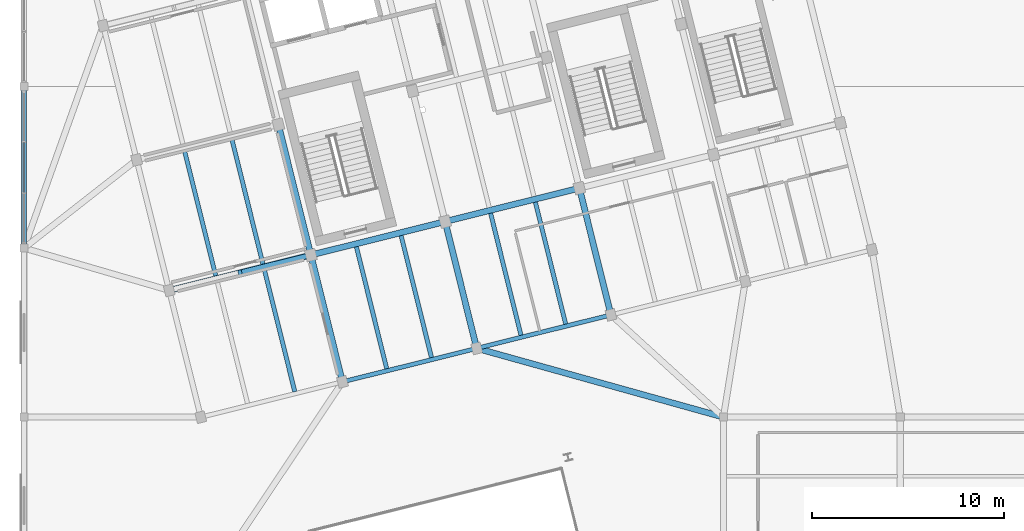
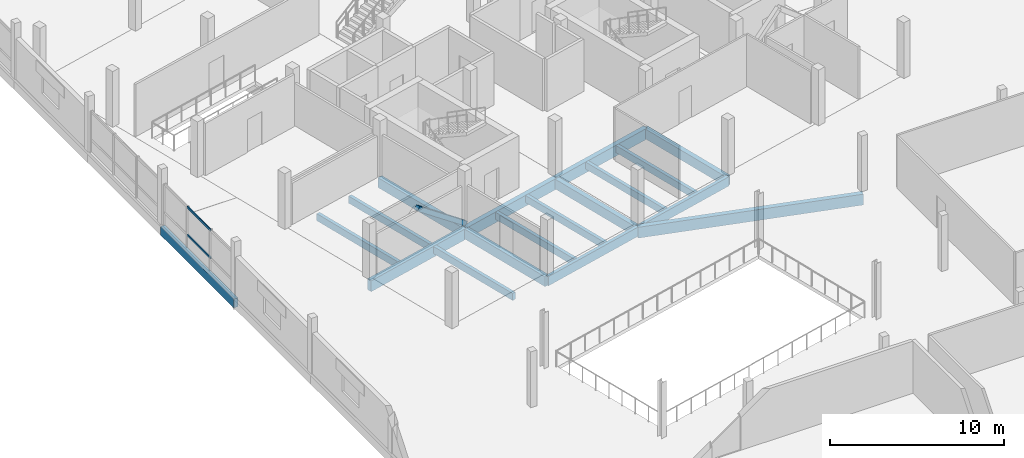
# One storey, part 18 of 47: 18 beams, 3 members, 1 element without a shape of its own.
"""IFC4 building model written with IfcOpenShell, lengths in metres."""

from ifc_helpers import new_model, si_unit, direction, frame, origin, origin_2d, place, context, subcontext, project, spatial, rectangle, hollow_rectangle, extrude, material, layer, layer_set, material_profile, profile_set, type_object, element, aggregate, save


model = new_model("IFC4")

# Units and contexts
model_context = context("Model", 3, precision=1e-05, world=origin(), true_north=direction((0.0, 1.0)))
body_context = subcontext(model_context, "Body", "Model", "MODEL_VIEW")
ifc_project = project(units=[si_unit("LENGTHUNIT", "METRE"), si_unit("AREAUNIT", "SQUARE_METRE"), si_unit("VOLUMEUNIT", "CUBIC_METRE"), si_unit("PLANEANGLEUNIT", "RADIAN"), si_unit("MASSUNIT", "GRAM", prefix="KILO")], contexts=[model_context])

# Site, building, storey
site_placement = place(None, origin())
site = spatial("IfcSite", under=ifc_project, at=site_placement, CompositionType="ELEMENT")
building_placement = place(site_placement, origin())
building = spatial("IfcBuilding", under=site, at=building_placement, Name="Meriwether Solvik Hall", CompositionType="ELEMENT")
storey_placement = place(building_placement, frame((0.0, 0.0, 18.300048828125)))
storey = spatial("IfcBuildingStorey", under=building, at=storey_placement, Name="L04", CompositionType="ELEMENT", Elevation=18.300048828125)

# Beams
ifc_material_1 = material(Name="Glulam Douglas-Fir 24F-V8 GL28h", Category="wood")
ifc_material_profile_1 = material_profile(ifc_material_1, rectangle(XDim=0.221923828125, YDim=0.64501953125, at=origin_2d()), Name="GLB-222X645")
ifc_profile_set_1 = profile_set([ifc_material_profile_1], Name="Glulam Douglas-Fir 24F-V8 GL28h")
beam_type_1 = type_object("IfcBeamType", Name="BM-GL-222X645", PredefinedType="SPANDREL", material=ifc_profile_set_1)
for number, where, z_axis, x_axis, name in (
    (1, (75.974365234375, 43.03857421875, -0.567626953125), (0.970291911955, 0.241937193493, 0.0), (-0.241937193493, 0.970291911955, 0.0), "Tower Girder TA:T2-T3 (L04)"),
    (2, (82.96044921875, 44.780517578125, -0.567626953125), (0.970299871507, 0.241905269381, 0.0), (-0.241905269381, 0.970299871507, 0.0), "Tower Girder TA:T3-T4 (L04)"),
):
    element("IfcBeam", number, at=place(storey_placement, frame(where, z_axis=z_axis, x_axis=x_axis)), inside=storey, type_object=beam_type_1, Name=name, PredefinedType="SPANDREL", context=body_context, shape_type="SweptSolid", body=[
        extrude(rectangle(XDim=0.221923828125, YDim=0.64501953125, at=origin_2d()), origin(), (0.0, 0.0, 1.0), 7.199951171875),
    ])
ifc_material_2 = material(Name="Glulam Douglas-Fir 24F-V8 GL28h", Category="wood")
ifc_material_profile_2 = material_profile(ifc_material_2, rectangle(XDim=0.27294921875, YDim=0.610107421875, at=origin_2d()), Name="GLB-273X610")
ifc_profile_set_2 = profile_set([ifc_material_profile_2], Name="Glulam Douglas-Fir 24F-V8 GL28h")
beam_type_2 = type_object("IfcBeamType", Name="BM-GL-273X610", PredefinedType="SPANDREL", material=ifc_profile_set_2)
beam_1_placement = place(storey_placement, frame((59.39990234375, 50.0, -0.550048828125), z_axis=(0.0, 1.0, 0.0), x_axis=(-1.0, 0.0, 0.0)))
element("IfcBeam", 3, at=beam_1_placement, inside=storey, type_object=beam_type_2, Name="Podium Girder 7:F-G (L04)", PredefinedType="SPANDREL", context=body_context, shape_type="SweptSolid", body=[
    extrude(rectangle(XDim=0.27294921875, YDim=0.610107421875, at=origin_2d()), origin(), (0.0, 0.0, 1.0), 8.39990234375),
])
ifc_material_3 = material(Name="Glulam Douglas-Fir 24F-V8 GL28h", Category="wood")
ifc_material_profile_3 = material_profile(ifc_material_3, rectangle(XDim=0.31494140625, YDim=0.68505859375, at=origin_2d()), Name="GLB-315X685")
ifc_profile_set_3 = profile_set([ifc_material_profile_3], Name="Glulam Douglas-Fir 24F-V8 GL28h")
beam_type_3 = type_object("IfcBeamType", Name="BM-GL-315X685", PredefinedType="BEAM", material=ifc_profile_set_3)
beam_2_placement = place(storey_placement, frame((75.974365234375, 43.03857421875, -0.587646484375), z_axis=(-0.241944251278, 0.970290152106, 0.0), x_axis=(-0.970290152106, -0.241944251278, 0.0)))
element("IfcBeam", 4, at=beam_2_placement, inside=storey, type_object=beam_type_3, Name="Tower Girder T2:TA-TB (L04)", PredefinedType="BEAM", context=body_context, shape_type="SweptSolid", body=[
    extrude(rectangle(XDim=0.31494140625, YDim=0.68505859375, at=origin_2d()), origin(), (0.0, 0.0, 1.0), 6.80029296875),
])
beam_3_placement = place(storey_placement, frame((74.3291015625, 49.63671875, -0.587646484375), z_axis=(-0.241911879182, 0.970298223594, 0.0), x_axis=(-0.970298223594, -0.241911879182, 0.0)))
element("IfcBeam", 5, at=beam_3_placement, inside=storey, type_object=beam_type_3, Name="Tower Girder T2:TB-TC (L04)", PredefinedType="BEAM", context=body_context, shape_type="SweptSolid", body=[
    extrude(rectangle(XDim=0.31494140625, YDim=0.68505859375, at=origin_2d()), origin(), (0.0, 0.0, 1.0), 7.0),
])
beam_4_placement = place(storey_placement, frame((82.96044921875, 44.780517578125, -0.587646484375), z_axis=(-0.241918877831, 0.970296478685, 0.0), x_axis=(-0.970296478685, -0.241918877831, 0.0)))
element("IfcBeam", 6, at=beam_4_placement, inside=storey, type_object=beam_type_3, Name="Tower Girder T3:TA-TB (L04)", PredefinedType="BEAM", context=body_context, shape_type="SweptSolid", body=[
    extrude(rectangle(XDim=0.31494140625, YDim=0.68505859375, at=origin_2d()), origin(), (0.0, 0.0, 1.0), 6.7998046875),
])
beam_5_placement = place(storey_placement, frame((89.946533203125, 46.522216796875, -0.587646484375), z_axis=(-0.24191045034, 0.970298579828, 0.0), x_axis=(-0.970298579828, -0.24191045034, 0.0)))
element("IfcBeam", 7, at=beam_5_placement, inside=storey, type_object=beam_type_3, Name="Tower Girder T4:TA-TB (L04)", PredefinedType="BEAM", context=body_context, shape_type="SweptSolid", body=[
    extrude(rectangle(XDim=0.31494140625, YDim=0.68505859375, at=origin_2d()), origin(), (0.0, 0.0, 1.0), 6.800048828125),
])
ifc_material_4 = material(Name="Glulam Douglas-Fir 24F-V8 GL28h", Category="wood")
ifc_material_profile_4 = material_profile(ifc_material_4, rectangle(XDim=0.31494140625, YDim=0.760009765625, at=origin_2d()), Name="GLB-315X760")
ifc_profile_set_4 = profile_set([ifc_material_profile_4], Name="Glulam Douglas-Fir 24F-V8 GL28h")
beam_type_4 = type_object("IfcBeamType", Name="BM-GL-315X760", PredefinedType="BEAM", material=ifc_profile_set_4)
beam_6_placement = place(storey_placement, frame((82.96044921875, 44.780517578125, -0.625), z_axis=(0.963246352106, -0.268619554676, 0.0), x_axis=(0.268619554676, 0.963246352106, 0.0)))
element("IfcBeam", 8, at=beam_6_placement, inside=storey, type_object=beam_type_4, Name="Diaphragm Collector Girder T3/TA-11/E (L04)", PredefinedType="BEAM", context=body_context, shape_type="SweptSolid", body=[
    extrude(rectangle(XDim=0.31494140625, YDim=0.760009765625, at=origin_2d()), origin(), (0.0, 0.0, 1.0), 13.32958984375),
])
beam_7_placement = place(storey_placement, frame((66.954833984375, 47.798095703125, -0.625), z_axis=(0.970295366785, 0.241923337436, 0.0), x_axis=(-0.241923337436, 0.970295366785, 0.0)))
element("IfcBeam", 9, at=beam_7_placement, inside=storey, type_object=beam_type_4, Name="Tower Girder TB:T1-T2 (L04)", PredefinedType="BEAM", context=body_context, shape_type="SweptSolid", body=[
    extrude(rectangle(XDim=0.31494140625, YDim=0.760009765625, at=origin_2d()), origin(), (0.0, 0.0, 1.0), 7.60009765625),
])
beam_8_placement = place(storey_placement, frame((74.3291015625, 49.63671875, -0.625), z_axis=(0.970301855688, 0.241897310542, 0.0), x_axis=(-0.241897310542, 0.970301855688, 0.0)))
element("IfcBeam", 10, at=beam_8_placement, inside=storey, type_object=beam_type_4, Name="Tower Girder TB:T2-T3 (L04)", PredefinedType="BEAM", context=body_context, shape_type="SweptSolid", body=[
    extrude(rectangle(XDim=0.31494140625, YDim=0.760009765625, at=origin_2d()), origin(), (0.0, 0.0, 1.0), 7.2001953125),
])
beam_9_placement = place(storey_placement, frame((81.3154296875, 51.37841796875, -0.625), z_axis=(0.970291911955, 0.241937193493, 0.0), x_axis=(-0.241937193493, 0.970291911955, 0.0)))
element("IfcBeam", 11, at=beam_9_placement, inside=storey, type_object=beam_type_4, Name="Tower Girder TB:T3-T4 (L04)", PredefinedType="BEAM", context=body_context, shape_type="SweptSolid", body=[
    extrude(rectangle(XDim=0.31494140625, YDim=0.760009765625, at=origin_2d()), origin(), (0.0, 0.0, 1.0), 7.199951171875),
])

# Curtain wall, members
ifc_material_5 = material(Name="Thermally Broken Anodised Aluminium 6063-T6 and Low-E Glass", Category="aluminium")
ifc_layer = layer(ifc_material_5, 0.179931640625)
ifc_layer_set = layer_set([ifc_layer], Name="Thermally Broken Anodised Aluminium 6063-T6 and Low-E Glass")
curtain_wall_type = type_object("IfcCurtainWallType", Name="CW-UNIT-E", PredefinedType="USERDEFINED", material=ifc_layer_set)
curtain_wall_placement = place(storey_placement, origin())
curtain_wall = element("IfcCurtainWall", 12, at=curtain_wall_placement, inside=storey, type_object=curtain_wall_type, Name="Curtain Wall wing_Y7_6_17 (L04)", ObjectType="UNITISED CURTAIN WALL", PredefinedType="USERDEFINED")
ifc_material_6 = material(Name="Anodised Aluminium 6063-T6", Category="aluminium")
ifc_material_profile_5 = material_profile(ifc_material_6, hollow_rectangle(XDim=0.070068359375, YDim=0.14990234375, WallThickness=0.0048828125, at=origin_2d()), Name="CWT-70X150")
ifc_profile_set_5 = profile_set([ifc_material_profile_5], Name="Anodised Aluminium 6063-T6")
member_type_1 = type_object("IfcMemberType", Name="CW-TRN-70X150", PredefinedType="USERDEFINED", material=ifc_profile_set_5)
member_1_placement = place(storey_placement, frame((59.39990234375, 52.8740234375, 0.8564453125), z_axis=(0.0, 1.0, 0.0), x_axis=(-1.0, 0.0, 0.0)))
member_1 = element("IfcMember", 13, at=member_1_placement, type_object=member_type_1, Name="Curtain Wall Transom 2-sill", ObjectType="TRANSOM", PredefinedType="USERDEFINED", context=body_context, shape_type="SweptSolid", body=[
    extrude(hollow_rectangle(XDim=0.070068359375, YDim=0.14990234375, WallThickness=0.0048828125, at=origin_2d()), origin(), (0.0, 0.0, 1.0), 2.65185546875),
])
member_2_placement = place(storey_placement, frame((59.39990234375, 52.8740234375, 2.794921875), z_axis=(0.0, 1.0, 0.0), x_axis=(-1.0, 0.0, 0.0)))
member_2 = element("IfcMember", 14, at=member_2_placement, type_object=member_type_1, Name="Curtain Wall Transom 2-head", ObjectType="TRANSOM", PredefinedType="USERDEFINED", context=body_context, shape_type="SweptSolid", body=[
    extrude(hollow_rectangle(XDim=0.070068359375, YDim=0.14990234375, WallThickness=0.0048828125, at=origin_2d()), origin(), (0.0, 0.0, 1.0), 2.65185546875),
])
aggregate(curtain_wall, [member_1, member_2])

# Beams
ifc_material_7 = material(Name="Glulam Douglas-Fir 24F-V8 GL28h", Category="wood")
ifc_material_profile_6 = material_profile(ifc_material_7, rectangle(XDim=0.221923828125, YDim=0.4951171875, at=origin_2d()), Name="GLJ-222X495")
ifc_profile_set_6 = profile_set([ifc_material_profile_6], Name="Glulam Douglas-Fir 24F-V8 GL28h")
beam_type_5 = type_object("IfcBeamType", Name="JST-GL-222X495", PredefinedType="JOIST", material=ifc_profile_set_6)
beam_10_placement = place(storey_placement, frame((73.490478515625, 42.528564453125, -0.492431640625), z_axis=(-0.241920861923, 0.970295984, 0.0), x_axis=(-0.970295984, -0.241920861923, 0.0)))
element("IfcBeam", 15, at=beam_10_placement, inside=storey, type_object=beam_type_5, Name="Glulam Floor Joist T1/TA-J2 (L04)", PredefinedType="JOIST", context=body_context, shape_type="SweptSolid", body=[
    extrude(rectangle(XDim=0.221923828125, YDim=0.4951171875, at=origin_2d()), origin(), (0.0, 0.0, 1.0), 6.54150390625),
])
beam_11_placement = place(storey_placement, frame((69.3759765625, 48.558837890625, -0.492431640625), z_axis=(-0.241917792922, 0.970296749179, 0.0), x_axis=(-0.970296749179, -0.241917792922, 0.0)))
element("IfcBeam", 16, at=beam_11_placement, inside=storey, type_object=beam_type_5, Name="Glulam Floor Joist T1/TB-J1 (L04)", PredefinedType="JOIST", context=body_context, shape_type="SweptSolid", body=[
    extrude(rectangle(XDim=0.221923828125, YDim=0.4951171875, at=origin_2d()), origin(), (0.0, 0.0, 1.0), 6.695068359375),
])
beam_12_placement = place(storey_placement, frame((71.834228515625, 49.171630859375, -0.492431640625), z_axis=(-0.241909233393, 0.970298883231, 0.0), x_axis=(-0.970298883231, -0.241909233393, 0.0)))
element("IfcBeam", 17, at=beam_12_placement, inside=storey, type_object=beam_type_5, Name="Glulam Floor Joist T1/TB-J2 (L04)", PredefinedType="JOIST", context=body_context, shape_type="SweptSolid", body=[
    extrude(rectangle(XDim=0.221923828125, YDim=0.4951171875, at=origin_2d()), origin(), (0.0, 0.0, 1.0), 6.6953125),
])
for number, where, z_axis, x_axis, name in (
    (18, (78.27734375, 43.72216796875, -0.492431640625), (-0.241920861923, 0.970295984, 0.0), (-0.970295984, -0.241920861923, 0.0), "Glulam Floor Joist T2/TA-J1 (L04)"),
    (19, (80.60595703125, 44.302734375, -0.492431640625), (-0.241920861923, 0.970295984, 0.0), (-0.970295984, -0.241920861923, 0.0), "Glulam Floor Joist T2/TA-J2 (L04)"),
    (20, (85.263427734375, 45.4638671875, -0.492431640625), (-0.241920861923, 0.970295984, 0.0), (-0.970295984, -0.241920861923, 0.0), "Glulam Floor Joist T3/TA-J1 (L04)"),
    (21, (87.592041015625, 46.04443359375, -0.492431640625), (-0.241920861923, 0.970295984, 0.0), (-0.970295984, -0.241920861923, 0.0), "Glulam Floor Joist T3/TA-J2 (L04)"),
):
    element("IfcBeam", number, at=place(storey_placement, frame(where, z_axis=z_axis, x_axis=x_axis)), inside=storey, type_object=beam_type_5, Name=name, PredefinedType="JOIST", context=body_context, shape_type="SweptSolid", body=[
        extrude(rectangle(XDim=0.221923828125, YDim=0.4951171875, at=origin_2d()), origin(), (0.0, 0.0, 1.0), 6.54150390625),
    ])

# Member
ifc_material_8 = material(Name="Glulam Douglas-Fir 24F-V8 GL28h", Category="wood")
ifc_material_profile_7 = material_profile(ifc_material_8, rectangle(XDim=0.27294921875, YDim=0.304931640625, at=origin_2d()), Name="GLM-273X305")
ifc_profile_set_7 = profile_set([ifc_material_profile_7], Name="Glulam Douglas-Fir 24F-V8 GL28h")
member_type_2 = type_object("IfcMemberType", Name="MEM-BR-GL273", PredefinedType="BRACE", material=ifc_profile_set_7)
member_3_placement = place(storey_placement, frame((74.3291015625, 49.63671875, 0.050048828125), z_axis=(-0.772792109875, -0.192711898145, 0.604693706952), x_axis=(0.241961122321, -0.970285945114, 0.0)))
element("IfcMember", 22, at=member_3_placement, inside=storey, type_object=member_type_2, Name="Tower Chevron Brace L04-B1B", PredefinedType="BRACE", context=body_context, shape_type="SweptSolid", body=[
    extrude(rectangle(XDim=0.27294921875, YDim=0.304931640625, at=origin_2d()), origin(), (0.0, 0.0, 1.0), 4.77099609375),
])

save(model, "model.ifc")
